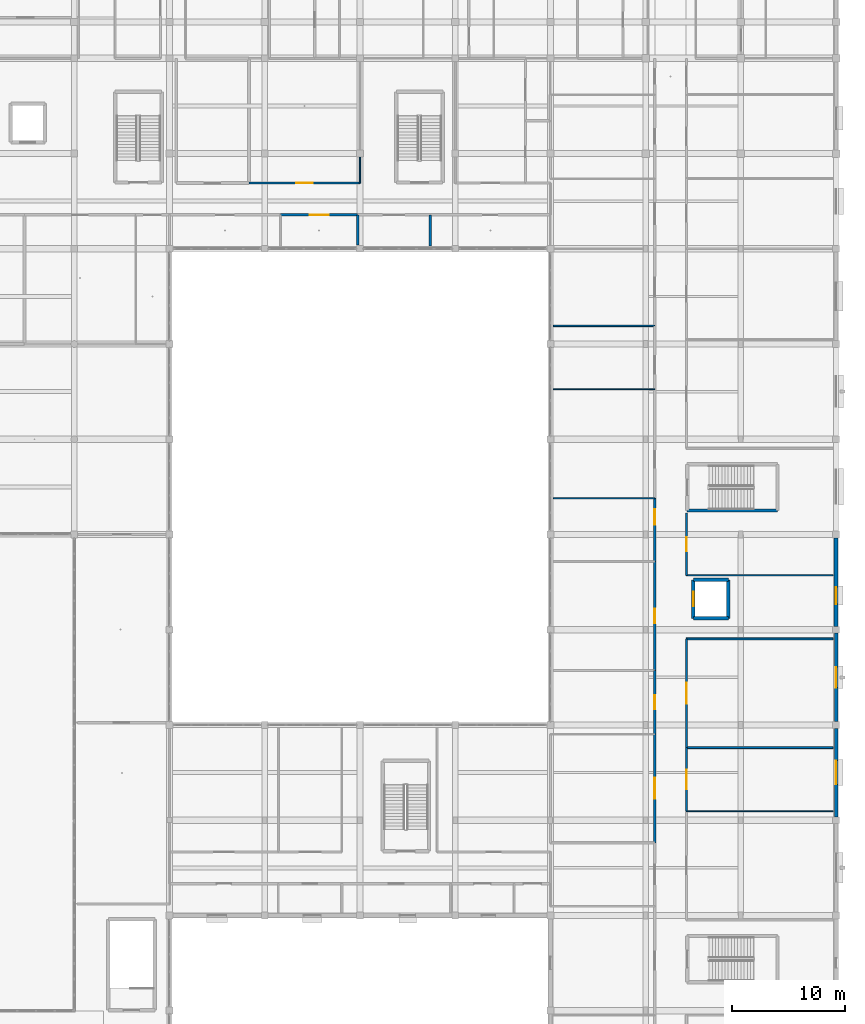
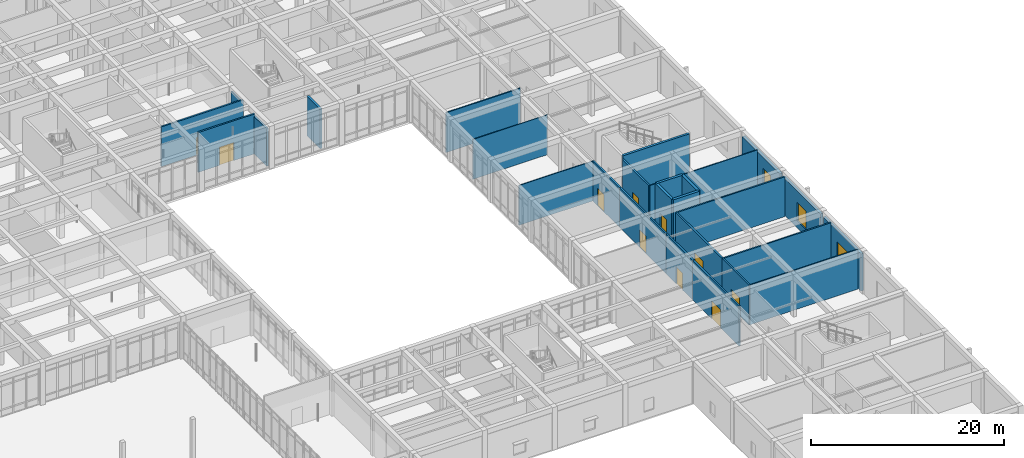
# One storey, part 91 of 157: 27 walls, 10 doors, 3 windows, 13 openings.
"""IFC4 building model written with IfcOpenShell, lengths in metres."""

from ifc_helpers import new_model, si_unit, direction, frame, frame_2d, origin, place, context, subcontext, project, spatial, rectangle, extrude, material, layer, layer_set, type_object, element, fill, save


model = new_model("IFC4")

# Units and contexts
model_context = context("Model", 3, precision=1e-05, world=origin(), true_north=direction((0.0, 1.0)))
body_context = subcontext(model_context, "Body", "Model", "MODEL_VIEW")
ifc_project = project(units=[si_unit("LENGTHUNIT", "METRE"), si_unit("AREAUNIT", "SQUARE_METRE"), si_unit("VOLUMEUNIT", "CUBIC_METRE"), si_unit("PLANEANGLEUNIT", "RADIAN"), si_unit("MASSUNIT", "GRAM", prefix="KILO")], contexts=[model_context])

# Site, building, storey
site_placement = place(None, origin())
site = spatial("IfcSite", under=ifc_project, at=site_placement, CompositionType="ELEMENT")
building_placement = place(site_placement, origin())
building = spatial("IfcBuilding", under=site, at=building_placement, Name="Varncliffe General Hospital", CompositionType="ELEMENT")
storey_placement = place(building_placement, frame((0.0, 0.0, 5.39990234375)))
storey = spatial("IfcBuildingStorey", under=building, at=storey_placement, Name="L01", CompositionType="ELEMENT", Elevation=5.39990234375)

# Wall, opening, window
ifc_material_1 = material(Name="Precast concrete C40/50 with insulated cream lime-cement stucco", Category="concrete")
ifc_layer_1 = layer(ifc_material_1, 0.31005859375)
ifc_layer_set_1 = layer_set([ifc_layer_1], Name="Precast concrete C40/50 with insulated cream lime-cement stucco")
wall_type_1 = type_object("IfcWallType", Name="Exterior Insulated Stucco Wall EW20 (310mm)", PredefinedType="SOLIDWALL", material=ifc_layer_set_1)
wall_1_placement = place(storey_placement, frame((176.39990234375, 40.501953125, 0.0), z_axis=(0.0, 0.0, 1.0), x_axis=(0.0, -1.0, 0.0)))
wall_1 = element("IfcWall", 1, at=wall_1_placement, inside=storey, type_object=wall_type_1, Name="L01 Exterior Stucco Wall EW20-148", PredefinedType="SOLIDWALL", context=body_context, shape_type="SweptSolid", body=[
    extrude(rectangle(XDim=7.803955078125, YDim=0.31005859375, at=frame_2d((3.90185546875, 0.0))), origin(), (0.0, 0.0, 1.0), 4.68017578125),
])
opening_1_placement = place(wall_1_placement, frame((2.85205078125, 0.0, 0.89990234375)))
opening_1 = element("IfcOpeningElement", 2, at=opening_1_placement, cuts=wall_1, Name="Opening WN50", PredefinedType="OPENING", context=body_context, shape_type="SweptSolid", body=[
    extrude(rectangle(XDim=2.10009765625, YDim=2.35009765625, at=frame_2d((1.050048828125, 1.175048828125))), frame((0.0, 0.1650390625, 0.0), z_axis=(0.0, -1.0, 0.0), x_axis=(1.0, 0.0, 0.0)), (0.0, 0.0, 1.0), 0.330078125),
])
ifc_material_2 = material(Name="Triple low-E argon insulated vision glazing", Category="glass")
window_type_1 = type_object("IfcWindowType", Name="Triple-Glazed Hospital Window WN50 (2100x2350)", PartitioningType="DOUBLE_PANEL_VERTICAL", PredefinedType="WINDOW", material=ifc_material_2)
window_1_placement = place(opening_1_placement, origin())
window_1 = element("IfcWindow", 3, at=window_1_placement, inside=storey, type_object=window_type_1, Name="L01 Hospital Window WN50-87", OverallHeight=2.35009765625, OverallWidth=2.10009765625, PartitioningType="DOUBLE_PANEL_VERTICAL", PredefinedType="WINDOW", context=body_context, shape_type="SweptSolid", body=[
    extrude(rectangle(XDim=2.10009765625, YDim=2.35009765625, at=frame_2d((1.050048828125, 1.175048828125))), frame((0.0, 0.030029296875, 0.0), z_axis=(0.0, -1.0, 0.0), x_axis=(1.0, 0.0, 0.0)), (0.0, 0.0, 1.0), 0.06005859375),
])
fill(opening_1, window_1)

ifc_layer_2 = layer(ifc_material_1, 0.330078125)
ifc_layer_set_2 = layer_set([ifc_layer_2], Name="Precast concrete C40/50 with insulated cream lime-cement stucco")
wall_type_2 = type_object("IfcWallType", Name="Exterior Insulated Stucco Wall EW33 (330mm)", PredefinedType="SOLIDWALL", material=ifc_layer_set_2)
wall_2_placement = place(storey_placement, frame((176.39990234375, 48.902099609375, 0.0), z_axis=(0.0, 0.0, 1.0), x_axis=(0.0, -1.0, 0.0)))
wall_2 = element("IfcWall", 4, at=wall_2_placement, inside=storey, type_object=wall_type_2, Name="L01 Exterior Stucco Wall EW33-147", PredefinedType="SOLIDWALL", context=body_context, shape_type="SweptSolid", body=[
    extrude(rectangle(XDim=7.80419921875, YDim=0.330078125, at=frame_2d((3.902099609375, 0.0))), origin(), (0.0, 0.0, 1.0), 4.68017578125),
])
opening_2_placement = place(wall_2_placement, frame((3.001953125, 0.0, 0.89990234375)))
opening_2 = element("IfcOpeningElement", 5, at=opening_2_placement, cuts=wall_2, Name="Opening WN12", PredefinedType="OPENING", context=body_context, shape_type="SweptSolid", body=[
    extrude(rectangle(XDim=1.800048828125, YDim=2.35009765625, at=frame_2d((0.89990234375, 1.175048828125))), frame((0.0, 0.175048828125, 0.0), z_axis=(0.0, -1.0, 0.0), x_axis=(1.0, 0.0, 0.0)), (0.0, 0.0, 1.0), 0.35009765625),
])
window_type_2 = type_object("IfcWindowType", Name="Triple-Glazed Hospital Window WN12 (1800x2350)", PartitioningType="DOUBLE_PANEL_VERTICAL", PredefinedType="WINDOW", material=ifc_material_2)
window_2_placement = place(opening_2_placement, origin())
window_2 = element("IfcWindow", 6, at=window_2_placement, inside=storey, type_object=window_type_2, Name="L01 Hospital Window WN12-86", OverallHeight=2.35009765625, OverallWidth=1.800048828125, PartitioningType="DOUBLE_PANEL_VERTICAL", PredefinedType="WINDOW", context=body_context, shape_type="SweptSolid", body=[
    extrude(rectangle(XDim=1.800048828125, YDim=2.35009765625, at=frame_2d((0.89990234375, 1.175048828125))), frame((0.0, 0.030029296875, 0.0), z_axis=(0.0, -1.0, 0.0), x_axis=(1.0, 0.0, 0.0)), (0.0, 0.0, 1.0), 0.06005859375),
])
fill(opening_2, window_2)

ifc_layer_3 = layer(ifc_material_1, 0.35009765625)
ifc_layer_set_3 = layer_set([ifc_layer_3], Name="Precast concrete C40/50 with insulated cream lime-cement stucco")
wall_type_3 = type_object("IfcWallType", Name="Exterior Insulated Stucco Wall EW37 (350mm)", PredefinedType="SOLIDWALL", material=ifc_layer_set_3)
wall_3_placement = place(storey_placement, frame((176.39990234375, 57.302001953125, 0.0), z_axis=(0.0, 0.0, 1.0), x_axis=(0.0, -1.0, 0.0)))
wall_3 = element("IfcWall", 7, at=wall_3_placement, inside=storey, type_object=wall_type_3, Name="L01 Exterior Stucco Wall EW37-146", PredefinedType="SOLIDWALL", context=body_context, shape_type="SweptSolid", body=[
    extrude(rectangle(XDim=7.803955078125, YDim=0.35009765625, at=frame_2d((3.90185546875, 0.0))), origin(), (0.0, 0.0, 1.0), 4.68017578125),
])
opening_3_placement = place(wall_3_placement, frame((4.3408203125, 0.0, 0.89990234375)))
opening_3 = element("IfcOpeningElement", 8, at=opening_3_placement, cuts=wall_3, Name="Opening WN14", PredefinedType="OPENING", context=body_context, shape_type="SweptSolid", body=[
    extrude(rectangle(XDim=1.5, YDim=2.35009765625, at=frame_2d((0.75, 1.175048828125))), frame((0.0, 0.18505859375, 0.0), z_axis=(0.0, -1.0, 0.0), x_axis=(1.0, 0.0, 0.0)), (0.0, 0.0, 1.0), 0.3701171875),
])
window_type_3 = type_object("IfcWindowType", Name="Triple-Glazed Hospital Window WN14 (1500x2350)", PartitioningType="SINGLE_PANEL", PredefinedType="WINDOW", material=ifc_material_2)
window_3_placement = place(opening_3_placement, origin())
window_3 = element("IfcWindow", 9, at=window_3_placement, inside=storey, type_object=window_type_3, Name="L01 Hospital Window WN14-85", OverallHeight=2.35009765625, OverallWidth=1.5, PartitioningType="SINGLE_PANEL", PredefinedType="WINDOW", context=body_context, shape_type="SweptSolid", body=[
    extrude(rectangle(XDim=1.5, YDim=2.35009765625, at=frame_2d((0.75, 1.175048828125))), frame((0.0, 0.030029296875, 0.0), z_axis=(0.0, -1.0, 0.0), x_axis=(1.0, 0.0, 0.0)), (0.0, 0.0, 1.0), 0.06005859375),
])
fill(opening_3, window_3)

# Walls
ifc_material_3 = material(Name="Acoustic clinical gypsum stud partition assembly", Category="gypsum")
ifc_layer_4 = layer(ifc_material_3, 0.1298828125)
ifc_layer_set_4 = layer_set([ifc_layer_4], Name="Acoustic clinical gypsum stud partition assembly")
wall_type_4 = type_object("IfcWallType", Name="Interior Partitioning IW11 (130mm)", PredefinedType="PARTITIONING", material=ifc_layer_set_4)
wall_4_placement = place(storey_placement, frame((134.39990234375, 88.60009765625, 0.0), z_axis=(0.0, 0.0, 1.0), x_axis=(0.0, 1.0, 0.0)))
element("IfcWall", 10, at=wall_4_placement, inside=storey, type_object=wall_type_4, Name="L01 Interior Partition Wall IW11-824", PredefinedType="PARTITIONING", context=body_context, shape_type="SweptSolid", body=[
    extrude(rectangle(XDim=2.284912109375, YDim=0.1298828125, at=frame_2d((1.142578125, 0.0))), origin(), (0.0, 0.0, 1.0), 4.735107421875),
])
ifc_layer_5 = layer(ifc_material_3, 0.169921875)
ifc_layer_set_5 = layer_set([ifc_layer_5], Name="Acoustic clinical gypsum stud partition assembly")
wall_type_5 = type_object("IfcWallType", Name="Interior Partitioning IW20 (170mm)", PredefinedType="PARTITIONING", material=ifc_layer_set_5)
for number, where, z_axis, x_axis, name in (
    (11, (163.199951171875, 38.800048828125, 0.0), (0.0, 0.0, 1.0), (1.0, 0.0, 0.0), "L01 Interior Partition Wall IW20-460"),
    (12, (163.199951171875, 48.39990234375, 0.0), (0.0, 0.0, 1.0), (1.0, 0.0, 0.0), "L01 Interior Partition Wall IW20-470"),
):
    element("IfcWall", number, at=place(storey_placement, frame(where, z_axis=z_axis, x_axis=x_axis)), inside=storey, type_object=wall_type_5, Name=name, PredefinedType="PARTITIONING", context=body_context, shape_type="SweptSolid", body=[
        extrude(rectangle(XDim=12.93994140625, YDim=0.169921875, at=frame_2d((6.469970703125, 0.0))), origin(), (0.0, 0.0, 1.0), 5.050048828125),
    ])
ifc_layer_6 = layer(ifc_material_3, 0.14990234375)
ifc_layer_set_6 = layer_set([ifc_layer_6], Name="Acoustic clinical gypsum stud partition assembly")
wall_type_6 = type_object("IfcWallType", Name="Interior Partitioning IW35 (150mm)", PredefinedType="PARTITIONING", material=ifc_layer_set_6)
wall_5_placement = place(storey_placement, frame((151.4599609375, 76.0, 0.0), z_axis=(0.0, 0.0, 1.0), x_axis=(1.0, 0.0, 0.0)))
element("IfcWall", 13, at=wall_5_placement, inside=storey, type_object=wall_type_6, Name="L01 Interior Partition Wall IW35-499", PredefinedType="PARTITIONING", context=body_context, shape_type="SweptSolid", body=[
    extrude(rectangle(XDim=8.93994140625, YDim=0.14990234375, at=frame_2d((4.469970703125, 0.0))), origin(), (0.0, 0.0, 1.0), 5.050048828125),
])
ifc_layer_7 = layer(ifc_material_3, 0.090087890625)
ifc_layer_set_7 = layer_set([ifc_layer_7], Name="Acoustic clinical gypsum stud partition assembly")
wall_type_7 = type_object("IfcWallType", Name="Interior Partitioning IW42 (90mm)", PredefinedType="PARTITIONING", material=ifc_layer_set_7)
wall_6_placement = place(storey_placement, frame((163.199951171875, 33.199951171875, 0.0), z_axis=(0.0, 0.0, 1.0), x_axis=(1.0, 0.0, 0.0)))
element("IfcWall", 14, at=wall_6_placement, inside=storey, type_object=wall_type_7, Name="L01 Interior Partition Wall IW42-456", PredefinedType="PARTITIONING", context=body_context, shape_type="SweptSolid", body=[
    extrude(rectangle(XDim=12.93994140625, YDim=0.090087890625, at=frame_2d((6.469970703125, 0.0))), origin(), (0.0, 0.0, 1.0), 5.050048828125),
])
wall_7_placement = place(storey_placement, frame((151.4599609375, 70.39990234375, 0.0), z_axis=(0.0, 0.0, 1.0), x_axis=(1.0, 0.0, 0.0)))
element("IfcWall", 15, at=wall_7_placement, inside=storey, type_object=wall_type_7, Name="L01 Interior Partition Wall IW42-481", PredefinedType="PARTITIONING", context=body_context, shape_type="SweptSolid", body=[
    extrude(rectangle(XDim=8.93994140625, YDim=0.090087890625, at=frame_2d((4.469970703125, 0.0))), origin(), (0.0, 0.0, 1.0), 5.050048828125),
])
ifc_layer_8 = layer(ifc_material_3, 0.110107421875)
ifc_layer_set_8 = layer_set([ifc_layer_8], Name="Acoustic clinical gypsum stud partition assembly")
wall_type_8 = type_object("IfcWallType", Name="Interior Partitioning IW65 (110mm)", PredefinedType="PARTITIONING", material=ifc_layer_set_8)
wall_8_placement = place(storey_placement, frame((163.199951171875, 54.0, 0.0), z_axis=(0.0, 0.0, 1.0), x_axis=(1.0, 0.0, 0.0)))
element("IfcWall", 16, at=wall_8_placement, inside=storey, type_object=wall_type_8, Name="L01 Interior Partition Wall IW65-472", PredefinedType="PARTITIONING", context=body_context, shape_type="SweptSolid", body=[
    extrude(rectangle(XDim=12.93994140625, YDim=0.110107421875, at=frame_2d((6.469970703125, 0.0))), origin(), (0.0, 0.0, 1.0), 5.050048828125),
])
wall_9_placement = place(storey_placement, frame((151.4599609375, 60.800048828125, 0.0), z_axis=(0.0, 0.0, 1.0), x_axis=(1.0, 0.0, 0.0)))
element("IfcWall", 17, at=wall_9_placement, inside=storey, type_object=wall_type_8, Name="L01 Interior Partition Wall IW65-477", PredefinedType="PARTITIONING", context=body_context, shape_type="SweptSolid", body=[
    extrude(rectangle(XDim=8.93994140625, YDim=0.110107421875, at=frame_2d((4.469970703125, 0.0))), origin(), (0.0, 0.0, 1.0), 5.050048828125),
])
ifc_material_4 = material(Name="Fire-rated gypsum and mineral-wool partition assembly", Category="gypsum")
ifc_layer_9 = layer(ifc_material_4, 0.25)
ifc_layer_set_9 = layer_set([ifc_layer_9], Name="Fire-rated gypsum and mineral-wool partition assembly")
wall_type_9 = type_object("IfcWallType", Name="Interior Partitioning PW38 (250mm)", PredefinedType="PARTITIONING", material=ifc_layer_set_9)
wall_10_placement = place(storey_placement, frame((140.60009765625, 83.06005859375, 0.0), z_axis=(0.0, 0.0, 1.0), x_axis=(0.0, 1.0, 0.0)))
element("IfcWall", 18, at=wall_10_placement, inside=storey, type_object=wall_type_9, Name="L01 Interior Partition Wall PW38-827", PredefinedType="PARTITIONING", context=body_context, shape_type="SweptSolid", body=[
    extrude(rectangle(XDim=2.739990234375, YDim=0.25, at=frame_2d((1.3701171875, 0.0))), origin(), (0.0, 0.0, 1.0), 5.050048828125),
])
ifc_layer_10 = layer(ifc_material_4, 0.22998046875)
ifc_layer_set_10 = layer_set([ifc_layer_10], Name="Fire-rated gypsum and mineral-wool partition assembly")
wall_type_10 = type_object("IfcWallType", Name="Interior Partitioning PW48 (230mm)", PredefinedType="PARTITIONING", material=ifc_layer_set_10)
wall_11_placement = place(storey_placement, frame((134.199951171875, 83.114990234375, 0.0), z_axis=(0.0, 0.0, 1.0), x_axis=(0.0, 1.0, 0.0)))
element("IfcWall", 19, at=wall_11_placement, inside=storey, type_object=wall_type_10, Name="L01 Interior Partition Wall PW48-822", PredefinedType="PARTITIONING", context=body_context, shape_type="SweptSolid", body=[
    extrude(rectangle(XDim=2.68505859375, YDim=0.22998046875, at=frame_2d((1.342529296875, 0.0))), origin(), (0.0, 0.0, 1.0), 4.735107421875),
])

# Wall, opening, door
ifc_layer_11 = layer(ifc_material_4, 0.199951171875)
ifc_layer_set_11 = layer_set([ifc_layer_11], Name="Fire-rated gypsum and mineral-wool partition assembly")
wall_type_11 = type_object("IfcWallType", Name="Interior Partitioning PW63 (200mm)", PredefinedType="PARTITIONING", material=ifc_layer_set_11)
wall_12_placement = place(storey_placement, frame((127.39990234375, 85.800048828125, 0.0), z_axis=(0.0, 0.0, 1.0), x_axis=(1.0, 0.0, 0.0)))
wall_12 = element("IfcWall", 20, at=wall_12_placement, inside=storey, type_object=wall_type_11, Name="L01 Interior Partition Wall PW63-524", PredefinedType="PARTITIONING", context=body_context, shape_type="SweptSolid", body=[
    extrude(rectangle(XDim=6.800048828125, YDim=0.199951171875, at=frame_2d((3.39990234375, 0.0))), origin(), (0.0, 0.0, 1.0), 5.050048828125),
])
opening_4_placement = place(wall_12_placement, frame((2.550048828125, 0.0, 0.0)))
opening_4 = element("IfcOpeningElement", 21, at=opening_4_placement, cuts=wall_12, Name="Opening DC50", PredefinedType="OPENING", context=body_context, shape_type="SweptSolid", body=[
    extrude(rectangle(XDim=1.699951171875, YDim=2.300048828125, at=frame_2d((0.85009765625, 1.14990234375))), frame((0.0, 0.10986328125, 0.0), z_axis=(0.0, -1.0, 0.0), x_axis=(1.0, 0.0, 0.0)), (0.0, 0.0, 1.0), 0.219970703125),
])
ifc_material_5 = material(Name="Fire-rated hospital steel-frame vision-panel door", Category="steel")
door_type_1 = type_object("IfcDoorType", Name="Interior Hospital Door DC50 (1700x2300)", OperationType="NOTDEFINED", PredefinedType="DOOR", material=ifc_material_5)
door_1_placement = place(opening_4_placement, frame((1.699951171875, 0.0, 0.0), z_axis=(0.0, 0.0, 1.0), x_axis=(-1.0, 0.0, 0.0)))
door_1 = element("IfcDoor", 22, at=door_1_placement, inside=storey, type_object=door_type_1, Name="L01 Pre-Operative Patient Admission Bay 90 Door", OperationType="SINGLE_SWING_RIGHT", OverallHeight=2.300048828125, OverallWidth=1.699951171875, PredefinedType="DOOR", context=body_context, shape_type="SweptSolid", body=[
    extrude(rectangle(XDim=1.699951171875, YDim=2.300048828125, at=frame_2d((0.85009765625, 1.14990234375))), frame((0.0, 0.02490234375, 0.0), z_axis=(0.0, -1.0, 0.0), x_axis=(1.0, 0.0, 0.0)), (0.0, 0.0, 1.0), 0.050048828125),
])
fill(opening_4, door_1)

wall_13_placement = place(storey_placement, frame((124.60009765625, 88.60009765625, 0.0), z_axis=(0.0, 0.0, 1.0), x_axis=(1.0, 0.0, 0.0)))
wall_13 = element("IfcWall", 23, at=wall_13_placement, inside=storey, type_object=wall_type_11, Name="L01 Interior Partition Wall PW63-537", PredefinedType="PARTITIONING", context=body_context, shape_type="SweptSolid", body=[
    extrude(rectangle(XDim=9.7998046875, YDim=0.199951171875, at=frame_2d((4.89990234375, 0.0))), origin(), (0.0, 0.0, 1.0), 5.050048828125),
])
opening_5_placement = place(wall_13_placement, frame((4.175048828125, 0.0, 0.0)))
opening_5 = element("IfcOpeningElement", 24, at=opening_5_placement, cuts=wall_13, Name="Opening DC66", PredefinedType="OPENING", context=body_context, shape_type="SweptSolid", body=[
    extrude(rectangle(XDim=1.449951171875, YDim=2.25, at=frame_2d((0.72509765625, 1.125))), frame((0.0, 0.10986328125, 0.0), z_axis=(0.0, -1.0, 0.0), x_axis=(1.0, 0.0, 0.0)), (0.0, 0.0, 1.0), 0.219970703125),
])
door_type_2 = type_object("IfcDoorType", Name="Interior Hospital Door DC66 (1450x2250)", OperationType="NOTDEFINED", PredefinedType="DOOR", material=ifc_material_5)
door_2_placement = place(opening_5_placement, origin())
door_2 = element("IfcDoor", 25, at=door_2_placement, inside=storey, type_object=door_type_2, Name="L01 Inpatient Hospital Pharmacy Cleanroom 100 Door", OperationType="SINGLE_SWING_RIGHT", OverallHeight=2.25, OverallWidth=1.449951171875, PredefinedType="DOOR", context=body_context, shape_type="SweptSolid", body=[
    extrude(rectangle(XDim=1.449951171875, YDim=2.25, at=frame_2d((0.72509765625, 1.125))), frame((0.0, 0.02490234375, 0.0), z_axis=(0.0, -1.0, 0.0), x_axis=(1.0, 0.0, 0.0)), (0.0, 0.0, 1.0), 0.050048828125),
])
fill(opening_5, door_2)

wall_14_placement = place(storey_placement, frame((160.39990234375, 30.39990234375, 0.0), z_axis=(0.0, 0.0, 1.0), x_axis=(0.0, 1.0, 0.0)))
wall_14 = element("IfcWall", 26, at=wall_14_placement, inside=storey, type_object=wall_type_11, Name="L01 Interior Partition Wall PW63-865", PredefinedType="PARTITIONING", context=body_context, shape_type="SweptSolid", body=[
    extrude(rectangle(XDim=9.60009765625, YDim=0.199951171875, at=frame_2d((4.800048828125, 0.0))), origin(), (0.0, 0.0, 1.0), 5.050048828125),
])
opening_6_placement = place(wall_14_placement, frame((3.875, 0.0, 0.0)))
opening_6 = element("IfcOpeningElement", 27, at=opening_6_placement, cuts=wall_14, Name="Opening DC38", PredefinedType="OPENING", context=body_context, shape_type="SweptSolid", body=[
    extrude(rectangle(XDim=1.85009765625, YDim=2.300048828125, at=frame_2d((0.925048828125, 1.14990234375))), frame((0.0, 0.10986328125, 0.0), z_axis=(0.0, -1.0, 0.0), x_axis=(1.0, 0.0, 0.0)), (0.0, 0.0, 1.0), 0.219970703125),
])
door_type_3 = type_object("IfcDoorType", Name="Interior Hospital Door DC38 (1850x2300)", OperationType="NOTDEFINED", PredefinedType="DOOR", material=ifc_material_5)
door_3_placement = place(opening_6_placement, origin())
door_3 = element("IfcDoor", 28, at=door_3_placement, inside=storey, type_object=door_type_3, Name="L01 Hydrotherapy and Occupational Rehab Suite 108 Door", OperationType="SINGLE_SWING_RIGHT", OverallHeight=2.300048828125, OverallWidth=1.85009765625, PredefinedType="DOOR", context=body_context, shape_type="SweptSolid", body=[
    extrude(rectangle(XDim=1.85009765625, YDim=2.300048828125, at=frame_2d((0.925048828125, 1.14990234375))), frame((0.0, 0.02490234375, 0.0), z_axis=(0.0, -1.0, 0.0), x_axis=(1.0, 0.0, 0.0)), (0.0, 0.0, 1.0), 0.050048828125),
])
fill(opening_6, door_3)

wall_15_placement = place(storey_placement, frame((160.39990234375, 40.0, 0.0), z_axis=(0.0, 0.0, 1.0), x_axis=(0.0, 1.0, 0.0)))
wall_15 = element("IfcWall", 29, at=wall_15_placement, inside=storey, type_object=wall_type_11, Name="L01 Interior Partition Wall PW63-866", PredefinedType="PARTITIONING", context=body_context, shape_type="SweptSolid", body=[
    extrude(rectangle(XDim=5.60009765625, YDim=0.199951171875, at=frame_2d((2.800048828125, 0.0))), origin(), (0.0, 0.0, 1.0), 5.050048828125),
])
opening_7_placement = place(wall_15_placement, frame((2.175048828125, 0.0, 0.0)))
opening_7 = element("IfcOpeningElement", 30, at=opening_7_placement, cuts=wall_15, Name="Opening DC44", PredefinedType="OPENING", context=body_context, shape_type="SweptSolid", body=[
    extrude(rectangle(XDim=1.25, YDim=2.14990234375, at=frame_2d((0.625, 1.074951171875))), frame((0.0, 0.10986328125, 0.0), z_axis=(0.0, -1.0, 0.0), x_axis=(1.0, 0.0, 0.0)), (0.0, 0.0, 1.0), 0.219970703125),
])
door_type_4 = type_object("IfcDoorType", Name="Interior Hospital Door DC44 (1250x2150)", OperationType="NOTDEFINED", PredefinedType="DOOR", material=ifc_material_5)
door_4_placement = place(opening_7_placement, origin())
door_4 = element("IfcDoor", 31, at=door_4_placement, inside=storey, type_object=door_type_4, Name="L01 Specialist ENT and Ophthalmology Clinic 109 Door", OperationType="SINGLE_SWING_LEFT", OverallHeight=2.14990234375, OverallWidth=1.25, PredefinedType="DOOR", context=body_context, shape_type="SweptSolid", body=[
    extrude(rectangle(XDim=1.25, YDim=2.14990234375, at=frame_2d((0.625, 1.074951171875))), frame((0.0, 0.02490234375, 0.0), z_axis=(0.0, -1.0, 0.0), x_axis=(1.0, 0.0, 0.0)), (0.0, 0.0, 1.0), 0.050048828125),
])
fill(opening_7, door_4)

wall_16_placement = place(storey_placement, frame((160.39990234375, 45.60009765625, 0.0), z_axis=(0.0, 0.0, 1.0), x_axis=(0.0, 1.0, 0.0)))
wall_16 = element("IfcWall", 32, at=wall_16_placement, inside=storey, type_object=wall_type_11, Name="L01 Interior Partition Wall PW63-867", PredefinedType="PARTITIONING", context=body_context, shape_type="SweptSolid", body=[
    extrude(rectangle(XDim=9.599853515625, YDim=0.199951171875, at=frame_2d((4.7998046875, 0.0))), origin(), (0.0, 0.0, 1.0), 5.050048828125),
])
opening_8_placement = place(wall_16_placement, frame((4.14990234375, 0.0, 0.0)))
opening_8 = element("IfcOpeningElement", 33, at=opening_8_placement, cuts=wall_16, Name="Opening DC88", PredefinedType="OPENING", context=body_context, shape_type="SweptSolid", body=[
    extrude(rectangle(XDim=1.300048828125, YDim=2.199951171875, at=frame_2d((0.64990234375, 1.10009765625))), frame((0.0, 0.10986328125, 0.0), z_axis=(0.0, -1.0, 0.0), x_axis=(1.0, 0.0, 0.0)), (0.0, 0.0, 1.0), 0.219970703125),
])
door_type_5 = type_object("IfcDoorType", Name="Interior Hospital Door DC88 (1300x2200)", OperationType="NOTDEFINED", PredefinedType="DOOR", material=ifc_material_5)
door_5_placement = place(opening_8_placement, origin())
door_5 = element("IfcDoor", 34, at=door_5_placement, inside=storey, type_object=door_type_5, Name="L01 Hydrotherapy and Occupational Rehab Suite 110 Door", OperationType="SINGLE_SWING_RIGHT", OverallHeight=2.199951171875, OverallWidth=1.300048828125, PredefinedType="DOOR", context=body_context, shape_type="SweptSolid", body=[
    extrude(rectangle(XDim=1.300048828125, YDim=2.199951171875, at=frame_2d((0.64990234375, 1.10009765625))), frame((0.0, 0.02490234375, 0.0), z_axis=(0.0, -1.0, 0.0), x_axis=(1.0, 0.0, 0.0)), (0.0, 0.0, 1.0), 0.050048828125),
])
fill(opening_8, door_5)

wall_17_placement = place(storey_placement, frame((160.39990234375, 55.199951171875, 0.0), z_axis=(0.0, 0.0, 1.0), x_axis=(0.0, 1.0, 0.0)))
wall_17 = element("IfcWall", 35, at=wall_17_placement, inside=storey, type_object=wall_type_11, Name="L01 Interior Partition Wall PW63-868", PredefinedType="PARTITIONING", context=body_context, shape_type="SweptSolid", body=[
    extrude(rectangle(XDim=5.60009765625, YDim=0.199951171875, at=frame_2d((2.800048828125, 0.0))), origin(), (0.0, 0.0, 1.0), 5.050048828125),
])
opening_9_placement = place(wall_17_placement, frame((3.256103515625, 0.0, 0.0)))
opening_9 = element("IfcOpeningElement", 36, at=opening_9_placement, cuts=wall_17, Name="Opening DC85", PredefinedType="OPENING", context=body_context, shape_type="SweptSolid", body=[
    extrude(rectangle(XDim=1.35009765625, YDim=2.199951171875, at=frame_2d((0.675048828125, 1.10009765625))), frame((0.0, 0.10986328125, 0.0), z_axis=(0.0, -1.0, 0.0), x_axis=(1.0, 0.0, 0.0)), (0.0, 0.0, 1.0), 0.219970703125),
])
door_type_6 = type_object("IfcDoorType", Name="Interior Hospital Door DC85 (1350x2200)", OperationType="NOTDEFINED", PredefinedType="DOOR", material=ifc_material_5)
door_6_placement = place(opening_9_placement, origin())
door_6 = element("IfcDoor", 37, at=door_6_placement, inside=storey, type_object=door_type_6, Name="L01 Specialist ENT and Ophthalmology Clinic 111 Door", OperationType="SINGLE_SWING_LEFT", OverallHeight=2.199951171875, OverallWidth=1.35009765625, PredefinedType="DOOR", context=body_context, shape_type="SweptSolid", body=[
    extrude(rectangle(XDim=1.35009765625, YDim=2.199951171875, at=frame_2d((0.675048828125, 1.10009765625))), frame((0.0, 0.02490234375, 0.0), z_axis=(0.0, -1.0, 0.0), x_axis=(1.0, 0.0, 0.0)), (0.0, 0.0, 1.0), 0.050048828125),
])
fill(opening_9, door_6)

wall_18_placement = place(storey_placement, frame((163.199951171875, 33.199951171875, 0.0), z_axis=(0.0, 0.0, 1.0), x_axis=(0.0, 1.0, 0.0)))
wall_18 = element("IfcWall", 38, at=wall_18_placement, inside=storey, type_object=wall_type_11, Name="L01 Interior Partition Wall PW63-878", PredefinedType="PARTITIONING", context=body_context, shape_type="SweptSolid", body=[
    extrude(rectangle(XDim=5.60009765625, YDim=0.199951171875, at=frame_2d((2.800048828125, 0.0))), origin(), (0.0, 0.0, 1.0), 5.050048828125),
])
opening_10_placement = place(wall_18_placement, frame((1.949951171875, 0.0, 0.0)))
opening_10 = element("IfcOpeningElement", 39, at=opening_10_placement, cuts=wall_18, Name="Opening DC50", PredefinedType="OPENING", context=body_context, shape_type="SweptSolid", body=[
    extrude(rectangle(XDim=1.699951171875, YDim=2.300048828125, at=frame_2d((0.85009765625, 1.14990234375))), frame((0.0, 0.10986328125, 0.0), z_axis=(0.0, -1.0, 0.0), x_axis=(1.0, 0.0, 0.0)), (0.0, 0.0, 1.0), 0.219970703125),
])
door_7_placement = place(opening_10_placement, frame((1.699951171875, 0.0, 0.0), z_axis=(0.0, 0.0, 1.0), x_axis=(-1.0, 0.0, 0.0)))
door_7 = element("IfcDoor", 40, at=door_7_placement, inside=storey, type_object=door_type_1, Name="L01 Specialist ENT and Ophthalmology Clinic 118 Door", OperationType="SINGLE_SWING_LEFT", OverallHeight=2.300048828125, OverallWidth=1.699951171875, PredefinedType="DOOR", context=body_context, shape_type="SweptSolid", body=[
    extrude(rectangle(XDim=1.699951171875, YDim=2.300048828125, at=frame_2d((0.85009765625, 1.14990234375))), frame((0.0, 0.02490234375, 0.0), z_axis=(0.0, -1.0, 0.0), x_axis=(1.0, 0.0, 0.0)), (0.0, 0.0, 1.0), 0.050048828125),
])
fill(opening_10, door_7)

wall_19_placement = place(storey_placement, frame((163.199951171875, 38.800048828125, 0.0), z_axis=(0.0, 0.0, 1.0), x_axis=(0.0, 1.0, 0.0)))
wall_19 = element("IfcWall", 41, at=wall_19_placement, inside=storey, type_object=wall_type_11, Name="L01 Interior Partition Wall PW63-879", PredefinedType="PARTITIONING", context=body_context, shape_type="SweptSolid", body=[
    extrude(rectangle(XDim=9.599853515625, YDim=0.199951171875, at=frame_2d((4.7998046875, 0.0))), origin(), (0.0, 0.0, 1.0), 5.050048828125),
])
opening_11_placement = place(wall_19_placement, frame((3.875, 0.0, 0.0)))
opening_11 = element("IfcOpeningElement", 42, at=opening_11_placement, cuts=wall_19, Name="Opening DC38", PredefinedType="OPENING", context=body_context, shape_type="SweptSolid", body=[
    extrude(rectangle(XDim=1.85009765625, YDim=2.300048828125, at=frame_2d((0.925048828125, 1.14990234375))), frame((0.0, 0.10986328125, 0.0), z_axis=(0.0, -1.0, 0.0), x_axis=(1.0, 0.0, 0.0)), (0.0, 0.0, 1.0), 0.219970703125),
])
door_8_placement = place(opening_11_placement, frame((1.85009765625, 0.0, 0.0), z_axis=(0.0, 0.0, 1.0), x_axis=(-1.0, 0.0, 0.0)))
door_8 = element("IfcDoor", 43, at=door_8_placement, inside=storey, type_object=door_type_3, Name="L01 Hydrotherapy and Occupational Rehab Suite 119 Door", OperationType="SINGLE_SWING_RIGHT", OverallHeight=2.300048828125, OverallWidth=1.85009765625, PredefinedType="DOOR", context=body_context, shape_type="SweptSolid", body=[
    extrude(rectangle(XDim=1.85009765625, YDim=2.300048828125, at=frame_2d((0.925048828125, 1.14990234375))), frame((0.0, 0.02490234375, 0.0), z_axis=(0.0, -1.0, 0.0), x_axis=(1.0, 0.0, 0.0)), (0.0, 0.0, 1.0), 0.050048828125),
])
fill(opening_11, door_8)

wall_20_placement = place(storey_placement, frame((163.199951171875, 54.0, 0.0), z_axis=(0.0, 0.0, 1.0), x_axis=(0.0, 1.0, 0.0)))
wall_20 = element("IfcWall", 44, at=wall_20_placement, inside=storey, type_object=wall_type_11, Name="L01 Interior Partition Wall PW63-880", PredefinedType="PARTITIONING", context=body_context, shape_type="SweptSolid", body=[
    extrude(rectangle(XDim=5.477783203125, YDim=0.199951171875, at=frame_2d((2.73876953125, 0.0))), origin(), (0.0, 0.0, 1.0), 5.050048828125),
])
opening_12_placement = place(wall_20_placement, frame((2.114013671875, 0.0, 0.0)))
opening_12 = element("IfcOpeningElement", 45, at=opening_12_placement, cuts=wall_20, Name="Opening DC44", PredefinedType="OPENING", context=body_context, shape_type="SweptSolid", body=[
    extrude(rectangle(XDim=1.25, YDim=2.14990234375, at=frame_2d((0.625, 1.074951171875))), frame((0.0, 0.10986328125, 0.0), z_axis=(0.0, -1.0, 0.0), x_axis=(1.0, 0.0, 0.0)), (0.0, 0.0, 1.0), 0.219970703125),
])
door_9_placement = place(opening_12_placement, frame((1.25, 0.0, 0.0), z_axis=(0.0, 0.0, 1.0), x_axis=(-1.0, 0.0, 0.0)))
door_9 = element("IfcDoor", 46, at=door_9_placement, inside=storey, type_object=door_type_4, Name="L01 Specialist ENT and Ophthalmology Clinic 120 Door", OperationType="SINGLE_SWING_LEFT", OverallHeight=2.14990234375, OverallWidth=1.25, PredefinedType="DOOR", context=body_context, shape_type="SweptSolid", body=[
    extrude(rectangle(XDim=1.25, YDim=2.14990234375, at=frame_2d((0.625, 1.074951171875))), frame((0.0, 0.02490234375, 0.0), z_axis=(0.0, -1.0, 0.0), x_axis=(1.0, 0.0, 0.0)), (0.0, 0.0, 1.0), 0.050048828125),
])
fill(opening_12, door_9)

# Walls
ifc_material_6 = material(Name="Concrete C40/50 (CSA A23.1 40 MPa)", Category="concrete")
ifc_layer_12 = layer(ifc_material_6, 0.300048828125)
ifc_layer_set_12 = layer_set([ifc_layer_12], Name="Concrete C40/50 (CSA A23.1 40 MPa)")
wall_type_12 = type_object("IfcWallType", Name="Reinforced Concrete Core Shear Wall CW12 (300mm)", PredefinedType="SHEAR", material=ifc_layer_set_12)
wall_21_placement = place(storey_placement, frame((163.800048828125, 50.199951171875, 0.0), z_axis=(0.0, 0.0, 1.0), x_axis=(1.0, 0.0, 0.0)))
element("IfcWall", 47, at=wall_21_placement, inside=storey, type_object=wall_type_12, Name="L01 LF08 Elevator Shaft Wall South", PredefinedType="SHEAR", context=body_context, shape_type="SweptSolid", body=[
    extrude(rectangle(XDim=3.099853515625, YDim=0.300048828125, at=frame_2d((1.5498046875, 0.0))), origin(), (0.0, 0.0, 1.0), 5.400146484375),
])
wall_22_placement = place(storey_placement, frame((166.89990234375, 50.199951171875, 0.0), z_axis=(0.0, 0.0, 1.0), x_axis=(0.0, 1.0, 0.0)))
element("IfcWall", 48, at=wall_22_placement, inside=storey, type_object=wall_type_12, Name="L01 LF08 Elevator Shaft Wall East", PredefinedType="SHEAR", context=body_context, shape_type="SweptSolid", body=[
    extrude(rectangle(XDim=3.400146484375, YDim=0.300048828125, at=frame_2d((1.7001953125, 0.0))), origin(), (0.0, 0.0, 1.0), 5.400146484375),
])
wall_23_placement = place(storey_placement, frame((166.89990234375, 53.60009765625, 0.0), z_axis=(0.0, 0.0, 1.0), x_axis=(-1.0, 0.0, 0.0)))
element("IfcWall", 49, at=wall_23_placement, inside=storey, type_object=wall_type_12, Name="L01 LF08 Elevator Shaft Wall North", PredefinedType="SHEAR", context=body_context, shape_type="SweptSolid", body=[
    extrude(rectangle(XDim=3.099853515625, YDim=0.300048828125, at=frame_2d((1.5498046875, 0.0))), origin(), (0.0, 0.0, 1.0), 5.400146484375),
])

# Wall, opening, door
wall_24_placement = place(storey_placement, frame((163.800048828125, 53.60009765625, 0.0), z_axis=(0.0, 0.0, 1.0), x_axis=(0.0, -1.0, 0.0)))
wall_24 = element("IfcWall", 50, at=wall_24_placement, inside=storey, type_object=wall_type_12, Name="L01 LF08 Elevator Shaft Wall West", PredefinedType="SHEAR", context=body_context, shape_type="SweptSolid", body=[
    extrude(rectangle(XDim=3.400146484375, YDim=0.300048828125, at=frame_2d((1.7001953125, 0.0))), origin(), (0.0, 0.0, 1.0), 5.400146484375),
])
opening_13_placement = place(wall_24_placement, frame((1.050048828125, 0.0, 0.0)))
opening_13 = element("IfcOpeningElement", 51, at=opening_13_placement, cuts=wall_24, Name="Opening LD02", PredefinedType="OPENING", context=body_context, shape_type="SweptSolid", body=[
    extrude(rectangle(XDim=1.300048828125, YDim=2.199951171875, at=frame_2d((0.64990234375, 1.10009765625))), frame((0.0, 0.16015625, 0.0), z_axis=(0.0, -1.0, 0.0), x_axis=(1.0, 0.0, 0.0)), (0.0, 0.0, 1.0), 0.320068359375),
])
ifc_material_7 = material(Name="Brushed stainless-steel sliding elevator landing door", Category="steel")
door_type_7 = type_object("IfcDoorType", Name="Lift Landing Door LD02 (1300x2200)", OperationType="DOUBLE_DOOR_SLIDING", PredefinedType="DOOR", material=ifc_material_7)
door_10_placement = place(opening_13_placement, origin())
door_10 = element("IfcDoor", 52, at=door_10_placement, inside=storey, type_object=door_type_7, Name="Lift Landing Door LF08 L01", OperationType="DOUBLE_DOOR_SLIDING", OverallHeight=2.199951171875, OverallWidth=1.300048828125, PredefinedType="DOOR", context=body_context, shape_type="SweptSolid", body=[
    extrude(rectangle(XDim=1.300048828125, YDim=2.199951171875, at=frame_2d((0.64990234375, 1.10009765625))), frame((0.0, 0.02490234375, 0.0), z_axis=(0.0, -1.0, 0.0), x_axis=(1.0, 0.0, 0.0)), (0.0, 0.0, 1.0), 0.050048828125),
])
fill(opening_13, door_10)

# Wall
ifc_layer_13 = layer(ifc_material_6, 0.280029296875)
ifc_layer_set_13 = layer_set([ifc_layer_13], Name="Concrete C40/50 (CSA A23.1 40 MPa)")
wall_type_13 = type_object("IfcWallType", Name="Reinforced Concrete Core Shear Wall CW13 (280mm)", PredefinedType="SHEAR", material=ifc_layer_set_13)
wall_25_placement = place(storey_placement, frame((163.260009765625, 59.7099609375, 0.0), z_axis=(0.0, 0.0, 1.0), x_axis=(1.0, 0.0, 0.0)))
element("IfcWall", 53, at=wall_25_placement, inside=storey, type_object=wall_type_13, Name="L01 ST07 Core Shear Wall L", PredefinedType="SHEAR", context=body_context, shape_type="SweptSolid", body=[
    extrude(rectangle(XDim=7.97998046875, YDim=0.280029296875, at=frame_2d((3.989990234375, 0.0))), origin(), (0.0, 0.0, 1.0), 5.400146484375),
])

save(model, "model.ifc")
